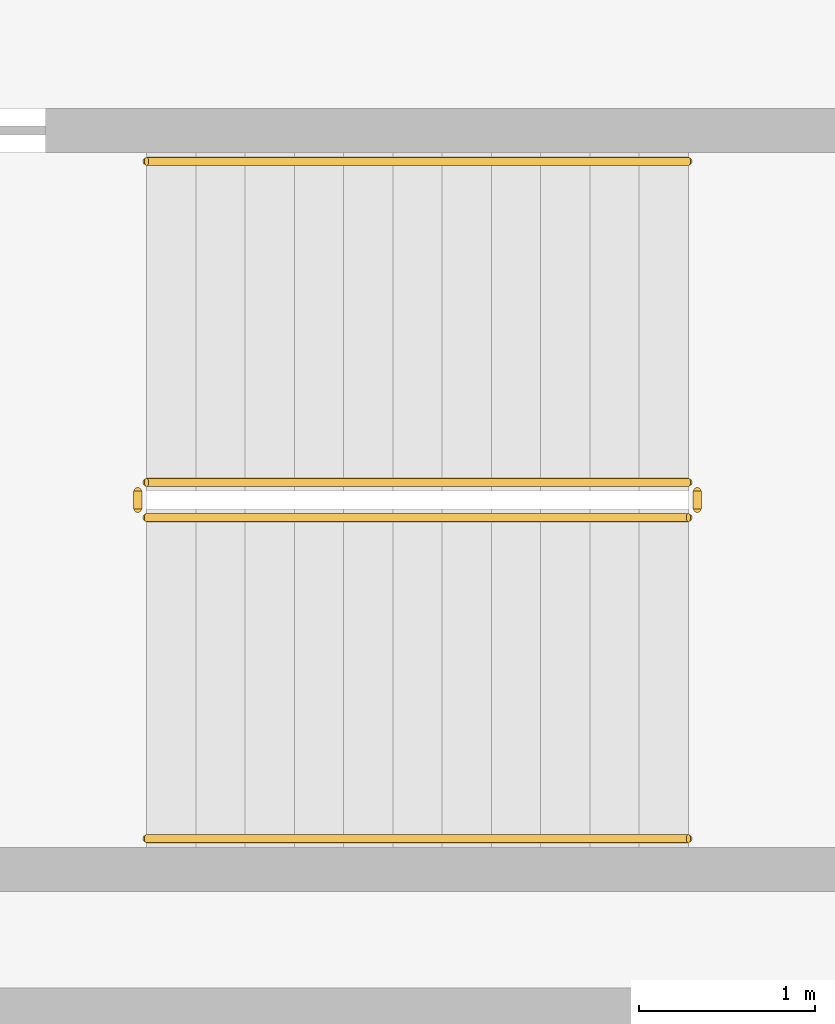
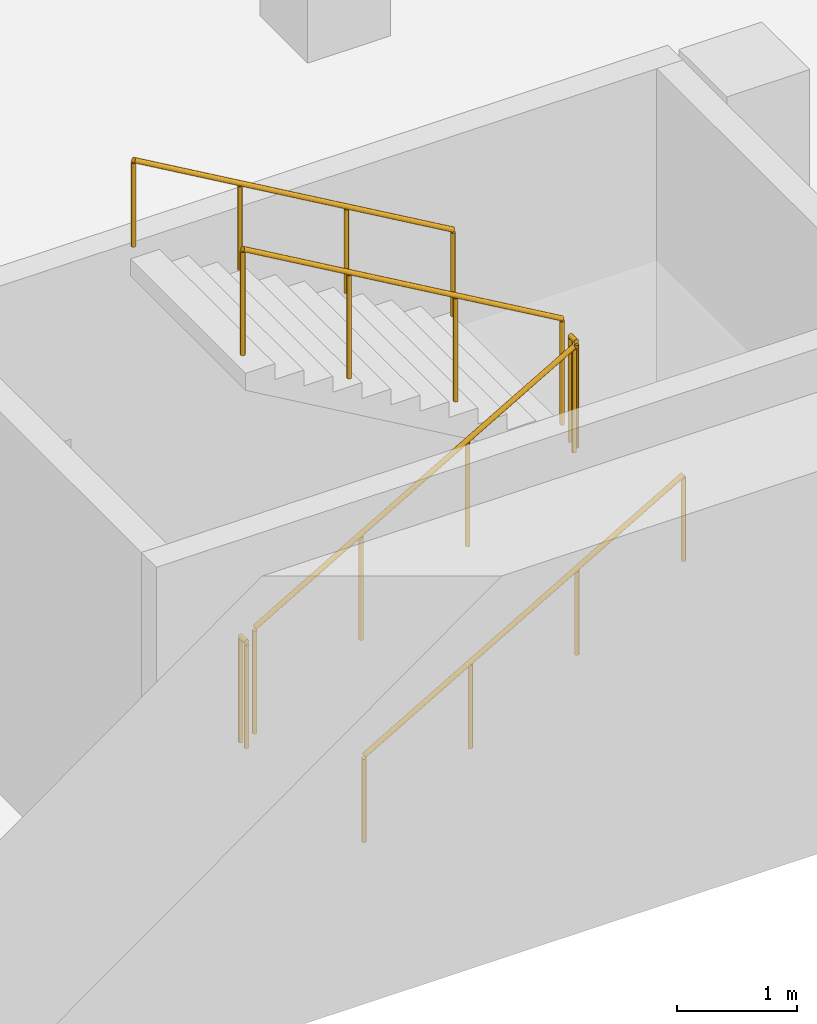
# One storey, part 19 of 25: 6 railings.
"""IFC4 building model written with IfcOpenShell, lengths in metres."""

import ifcopenshell
import ifcopenshell.guid

model = None  # the IFC model being written
_history = None  # IfcOwnerHistory: only IFC2X3 demands one
_inside = {}  # id of a spatial element -> (the spatial element, [elements in it])
_under = {}  # id of a project, library or spatial element -> (it, [spatial elements below it])
_declared = {}  # id of a project -> (the project, [libraries it declares])
_typed = {}  # id of a type object -> (the type object, [elements of that type])
_made_of = {}  # id of a material, layer set ... -> (it, [elements and type objects made of it])


def new_model(schema):
    """Start an empty IFC model of exactly this schema.

    Asked for "IFC4X3", IfcOpenShell would pick the latest addendum, in which some entities
    have other attributes; the version numbers below select the first issue.
    IFC2X3 requires an IfcOwnerHistory on every rooted entity: one is made here for all.
    """
    global model, _history
    if schema == "IFC4X3":
        model = ifcopenshell.file(schema_version=(4, 3, 0, 0))
    else:
        model = ifcopenshell.file(schema=schema)
    _inside.clear()
    _under.clear()
    _declared.clear()
    _typed.clear()
    _made_of.clear()
    _history = None
    if model.schema == "IFC2X3":
        org = make("IfcOrganization", Name="unknown")
        user = make(
            "IfcPersonAndOrganization",
            ThePerson=make("IfcPerson", FamilyName="unknown"),
            TheOrganization=org,
        )
        app = make(
            "IfcApplication",
            ApplicationDeveloper=org,
            Version="unknown",
            ApplicationFullName="unknown",
            ApplicationIdentifier="unknown",
        )
        _history = make(
            "IfcOwnerHistory",
            OwningUser=user,
            OwningApplication=app,
            ChangeAction="ADDED",
            CreationDate=0,
        )
    return model


def make(cls, **values):
    """One entity of the class cls with the attributes given. An attribute that is None is left unset."""
    return model.create_entity(
        cls, **{name: value for name, value in values.items() if value is not None}
    )


def rooted(cls, **values):
    """An entity with a GlobalId (a new one), such as an element, a storey or a relation."""
    return make(cls, GlobalId=ifcopenshell.guid.new(), OwnerHistory=_history, **values)


def si_unit(unit_type, name, prefix=None):
    """IfcSIUnit, for example si_unit("LENGTHUNIT", "METRE", prefix="MILLI")."""
    return make("IfcSIUnit", UnitType=unit_type, Prefix=prefix, Name=name)


def assignment(units):
    """IfcUnitAssignment: the units of a project."""
    return None if units is None else make("IfcUnitAssignment", Units=units)


def point(xyz):
    """IfcCartesianPoint."""
    return None if xyz is None else make("IfcCartesianPoint", Coordinates=xyz)


def direction(xyz):
    """IfcDirection."""
    return None if xyz is None else make("IfcDirection", DirectionRatios=xyz)


def frame(location, z_axis=None, x_axis=None):
    """IfcAxis2Placement3D, a coordinate frame: its origin and axes. An axis left out is left unset."""
    return make(
        "IfcAxis2Placement3D",
        Location=point(location),
        Axis=direction(z_axis),
        RefDirection=direction(x_axis),
    )


def frame_2d(location, x_axis=None):
    """IfcAxis2Placement2D, a coordinate frame in the plane: its origin and x axis."""
    return make(
        "IfcAxis2Placement2D", Location=point(location), RefDirection=direction(x_axis)
    )


def origin():
    """The frame at (0, 0, 0) with its axes left unset."""
    return frame((0.0, 0.0, 0.0))


def origin_2d():
    """The frame at (0, 0) in the plane with its x axis left unset."""
    return frame_2d((0.0, 0.0))


def place(relative_to, where):
    """IfcLocalPlacement: puts the frame where relative to a parent placement (None: the world)."""
    return make(
        "IfcLocalPlacement", PlacementRelTo=relative_to, RelativePlacement=where
    )


def context(
    kind, dimensions, precision=None, world=None, true_north=None, identifier=None
):
    """IfcGeometricRepresentationContext, for example the 3D "Model" context."""
    return make(
        "IfcGeometricRepresentationContext",
        ContextIdentifier=identifier,
        ContextType=kind,
        CoordinateSpaceDimension=dimensions,
        Precision=precision,
        WorldCoordinateSystem=world,
        TrueNorth=true_north,
    )


def subcontext(parent, identifier, kind, view, scale=None):
    """IfcGeometricRepresentationSubContext, for example "Body" below "Model"."""
    return make(
        "IfcGeometricRepresentationSubContext",
        ContextIdentifier=identifier,
        ContextType=kind,
        ParentContext=parent,
        TargetScale=scale,
        TargetView=view,
    )


def project(units=None, contexts=None):
    """IfcProject with its units and contexts."""
    return rooted(
        "IfcProject",
        Name="project",
        RepresentationContexts=contexts,
        UnitsInContext=assignment(units),
    )


def spatial(cls, under=None, at=None, **own):
    """A site, building, storey or space (cls), placed at a placement, below another one or the project."""
    s = rooted(cls, ObjectPlacement=at, **own)
    if under is not None:
        _under.setdefault(under.id(), (under, []))[1].append(s)
    return s


def profile(cls, at=None, kind="AREA", **sizes):
    """A parametric profile (cls). Its sizes go by their IFC names, for example OverallWidth=200.0."""
    return make(cls, ProfileType=kind, Position=at, **sizes)


def circle(**sizes):
    """IfcCircleProfileDef."""
    return profile("IfcCircleProfileDef", **sizes)


def extrude(swept, where, along, depth):
    """IfcExtrudedAreaSolid: the profile swept, set in the frame where, extruded along a direction by depth."""
    return make(
        "IfcExtrudedAreaSolid",
        SweptArea=swept,
        Position=where,
        ExtrudedDirection=direction(along),
        Depth=depth,
    )


def shape(context_of_items, identifier, shape_type, items):
    """IfcShapeRepresentation: the items that make up one representation, for example the "Body"."""
    return make(
        "IfcShapeRepresentation",
        ContextOfItems=context_of_items,
        RepresentationIdentifier=identifier,
        RepresentationType=shape_type,
        Items=items,
    )


def material(Name=None, Category=None):
    """IfcMaterial."""
    return make("IfcMaterial", Name=Name, Category=Category)


def made_of(thing, what):
    """Note that an element or type object is made of a material, layer set ...; save() writes the relation."""
    if what is not None:
        _made_of.setdefault(what.id(), (what, []))[1].append(thing)
    return thing


def type_object(cls, material=None, **own):
    """A type object (cls), such as IfcWallType, which elements share."""
    return made_of(rooted(cls, **own), material)


def element(
    cls,
    number,
    at=None,
    inside=None,
    cuts=None,
    type_object=None,
    material=None,
    context=None,
    identifier="Body",
    shape_type=None,
    held_by="IfcProductDefinitionShape",
    body=None,
    shapes=None,
    **own,
):
    """One element of the class cls, such as IfcWall. Its Tag is "e" and its number.

    at: its placement. inside: the storey or other place that contains it. cuts: it is an
    opening in that element (IfcRelVoidsElement). A single representation is given by context,
    identifier, shape_type and body (its items); several are given by shapes. held_by: the class
    of the entity that holds the representations. save() writes the other relations.
    """
    e = rooted(cls, Tag="e%d" % number, ObjectPlacement=at, **own)
    if body is not None:
        shapes = [shape(context, identifier, shape_type, body)]
    if shapes is not None:
        e.Representation = make(held_by, Representations=shapes)
    if inside is not None:
        _inside.setdefault(inside.id(), (inside, []))[1].append(e)
    if cuts is not None:
        rooted(
            "IfcRelVoidsElement", RelatingBuildingElement=cuts, RelatedOpeningElement=e
        )
    if type_object is not None:
        _typed.setdefault(type_object.id(), (type_object, []))[1].append(e)
    return made_of(e, material)


def aggregate(whole, parts):
    """IfcRelAggregates: a whole, such as a stair, and the parts it consists of."""
    return rooted("IfcRelAggregates", RelatingObject=whole, RelatedObjects=parts)


def save(model, path):
    """Write the relations noted so far, then the file.

    IfcRelAggregates (storeys below a building ...), IfcRelContainedInSpatialStructure (elements
    in a storey), IfcRelDefinesByType, IfcRelAssociatesMaterial and IfcRelDeclares: one each for
    every whole, place, type object, material and project.
    """
    for whole, parts in _under.values():
        aggregate(whole, parts)
    for where, things in _inside.values():
        rooted(
            "IfcRelContainedInSpatialStructure",
            RelatedElements=things,
            RelatingStructure=where,
        )
    for kind, things in _typed.values():
        rooted("IfcRelDefinesByType", RelatedObjects=things, RelatingType=kind)
    for what, things in _made_of.values():
        rooted("IfcRelAssociatesMaterial", RelatedObjects=things, RelatingMaterial=what)
    for by, libraries in _declared.values():
        rooted("IfcRelDeclares", RelatingContext=by, RelatedDefinitions=libraries)
    model.write(path)


model = new_model("IFC4")

# Units and contexts
model_context = context("Model", 3, precision=1e-05, world=origin(), true_north=direction((0.0, 1.0)))
body_context = subcontext(model_context, "Body", "Model", "MODEL_VIEW")
ifc_project = project(units=[si_unit("LENGTHUNIT", "METRE"), si_unit("AREAUNIT", "SQUARE_METRE"), si_unit("VOLUMEUNIT", "CUBIC_METRE"), si_unit("PLANEANGLEUNIT", "RADIAN"), si_unit("MASSUNIT", "GRAM", prefix="KILO")], contexts=[model_context])

# Site, building, storey
site_placement = place(None, origin())
site = spatial("IfcSite", under=ifc_project, at=site_placement, CompositionType="ELEMENT")
building_placement = place(site_placement, origin())
building = spatial("IfcBuilding", under=site, at=building_placement, Name="Verdalira Terraces Hotel", CompositionType="ELEMENT")
storey_placement = place(building_placement, frame((0.0, 0.0, -7.800049)))
storey = spatial("IfcBuildingStorey", under=building, at=storey_placement, Name="B2", CompositionType="ELEMENT", Elevation=-7.800048828125)

# Railings
ifc_material_1 = material(Name="Stainless steel", Category="steel")
railing_type_1 = type_object("IfcRailingType", Name="Stair guard 1100", PredefinedType="GUARDRAIL", material=ifc_material_1)
railing_1_placement = place(storey_placement, frame((-30.975098, -50.324951, 0.162598)))
element("IfcRailing", 1, at=railing_1_placement, inside=storey, type_object=railing_type_1, Name="B2 Basement stair 1 stair guard 1", PredefinedType="GUARDRAIL", context=body_context, shape_type="SweptSolid", body=[
    extrude(circle(Radius=0.023926, at=origin_2d()), frame((0.0, 0.0, 1.076172), z_axis=(0.864920483, 0.0, 0.501908914), x_axis=(0.0, 1.0, 0.0)), (0.0, 0.0, 1.0), 3.561035),
    extrude(circle(Radius=0.020996, at=origin_2d()), origin(), (0.0, 0.0, 1.0), 1.052002),
    extrude(circle(Radius=0.020996, at=origin_2d()), frame((1.026611, 0.0, 0.595703)), (0.0, 0.0, 1.0), 1.052002),
    extrude(circle(Radius=0.020996, at=origin_2d()), frame((2.053467, 0.0, 1.19165)), (0.0, 0.0, 1.0), 1.052002),
    extrude(circle(Radius=0.020996, at=origin_2d()), frame((3.080078, 0.0, 1.787354)), (0.0, 0.0, 1.0), 1.052002),
])
railing_2_placement = place(storey_placement, frame((-27.844971, -50.274902, 1.949951)))
element("IfcRailing", 2, at=railing_2_placement, inside=storey, type_object=railing_type_1, Name="B2 Basement stair 1 stair guard 2", PredefinedType="GUARDRAIL", context=body_context, shape_type="SweptSolid", body=[
    extrude(circle(Radius=0.023926, at=origin_2d()), frame((0.0, 0.0, 1.076172), z_axis=(0.0, 1.0, 0.0), x_axis=(-1.0, 0.0, 0.0)), (0.0, 0.0, 1.0), 0.099854),
    extrude(circle(Radius=0.020996, at=origin_2d()), origin(), (0.0, 0.0, 1.0), 1.052002),
    extrude(circle(Radius=0.020996, at=origin_2d()), frame((0.0, 0.099854, 0.0)), (0.0, 0.0, 1.0), 1.052002),
])
railing_3_placement = place(storey_placement, frame((-27.89502, -50.125, 2.112549)))
element("IfcRailing", 3, at=railing_3_placement, inside=storey, type_object=railing_type_1, Name="B2 Basement stair 1 stair guard 3", PredefinedType="GUARDRAIL", context=body_context, shape_type="SweptSolid", body=[
    extrude(circle(Radius=0.023926, at=origin_2d()), frame((0.0, 0.0, 1.076172), z_axis=(-0.864890721, 0.0, 0.501960198), x_axis=(0.0, -1.0, 0.0)), (0.0, 0.0, 1.0), 3.561279),
    extrude(circle(Radius=0.020996, at=origin_2d()), origin(), (0.0, 0.0, 1.0), 1.052002),
    extrude(circle(Radius=0.020996, at=origin_2d()), frame((-1.026611, 0.0, 0.595947)), (0.0, 0.0, 1.0), 1.052002),
    extrude(circle(Radius=0.020996, at=origin_2d()), frame((-2.053467, 0.0, 1.19165)), (0.0, 0.0, 1.0), 1.052002),
    extrude(circle(Radius=0.020996, at=origin_2d()), frame((-3.080078, 0.0, 1.787598)), (0.0, 0.0, 1.0), 1.052002),
])
railing_4_placement = place(storey_placement, frame((-31.024902, -50.274902, 0.0)))
element("IfcRailing", 4, at=railing_4_placement, inside=storey, type_object=railing_type_1, Name="B2 Basement stair 1 stair guard 4", PredefinedType="GUARDRAIL", context=body_context, shape_type="SweptSolid", body=[
    extrude(circle(Radius=0.023926, at=origin_2d()), frame((0.0, 0.0, 1.076172), z_axis=(0.0, 1.0, 0.0), x_axis=(-1.0, 0.0, 0.0)), (0.0, 0.0, 1.0), 0.099854),
    extrude(circle(Radius=0.020996, at=origin_2d()), origin(), (0.0, 0.0, 1.0), 1.052002),
    extrude(circle(Radius=0.020996, at=origin_2d()), frame((0.0, 0.099854, 0.0)), (0.0, 0.0, 1.0), 1.052002),
])
ifc_material_2 = material(Name="Stainless steel", Category="steel")
railing_type_2 = type_object("IfcRailingType", Name="Stair handrail 900", PredefinedType="HANDRAIL", material=ifc_material_2)
railing_5_placement = place(storey_placement, frame((-30.975098, -52.149902, 0.162598)))
element("IfcRailing", 5, at=railing_5_placement, inside=storey, type_object=railing_type_2, Name="B2 Basement stair 1 stair handrail 1", PredefinedType="HANDRAIL", context=body_context, shape_type="SweptSolid", body=[
    extrude(circle(Radius=0.023926, at=origin_2d()), frame((0.0, 0.0, 0.875977), z_axis=(0.864920483, 0.0, 0.501908914), x_axis=(0.0, 1.0, 0.0)), (0.0, 0.0, 1.0), 3.561035),
    extrude(circle(Radius=0.020996, at=origin_2d()), origin(), (0.0, 0.0, 1.0), 0.851807),
    extrude(circle(Radius=0.020996, at=origin_2d()), frame((1.026611, 0.0, 0.595703)), (0.0, 0.0, 1.0), 0.851807),
    extrude(circle(Radius=0.020996, at=origin_2d()), frame((2.053467, 0.0, 1.19165)), (0.0, 0.0, 1.0), 0.851807),
    extrude(circle(Radius=0.020996, at=origin_2d()), frame((3.080078, 0.0, 1.787354)), (0.0, 0.0, 1.0), 0.851807),
])
railing_6_placement = place(storey_placement, frame((-27.89502, -48.300049, 2.112549)))
element("IfcRailing", 6, at=railing_6_placement, inside=storey, type_object=railing_type_2, Name="B2 Basement stair 1 stair handrail 2", PredefinedType="HANDRAIL", context=body_context, shape_type="SweptSolid", body=[
    extrude(circle(Radius=0.023926, at=origin_2d()), frame((0.0, 0.0, 0.875977), z_axis=(-0.864890721, 0.0, 0.501960198), x_axis=(0.0, -1.0, 0.0)), (0.0, 0.0, 1.0), 3.561279),
    extrude(circle(Radius=0.020996, at=origin_2d()), origin(), (0.0, 0.0, 1.0), 0.851807),
    extrude(circle(Radius=0.020996, at=origin_2d()), frame((-1.026611, 0.0, 0.595947)), (0.0, 0.0, 1.0), 0.851807),
    extrude(circle(Radius=0.020996, at=origin_2d()), frame((-2.053467, 0.0, 1.19165)), (0.0, 0.0, 1.0), 0.851807),
    extrude(circle(Radius=0.020996, at=origin_2d()), frame((-3.080078, 0.0, 1.787598)), (0.0, 0.0, 1.0), 0.851807),
])

save(model, "model.ifc")
